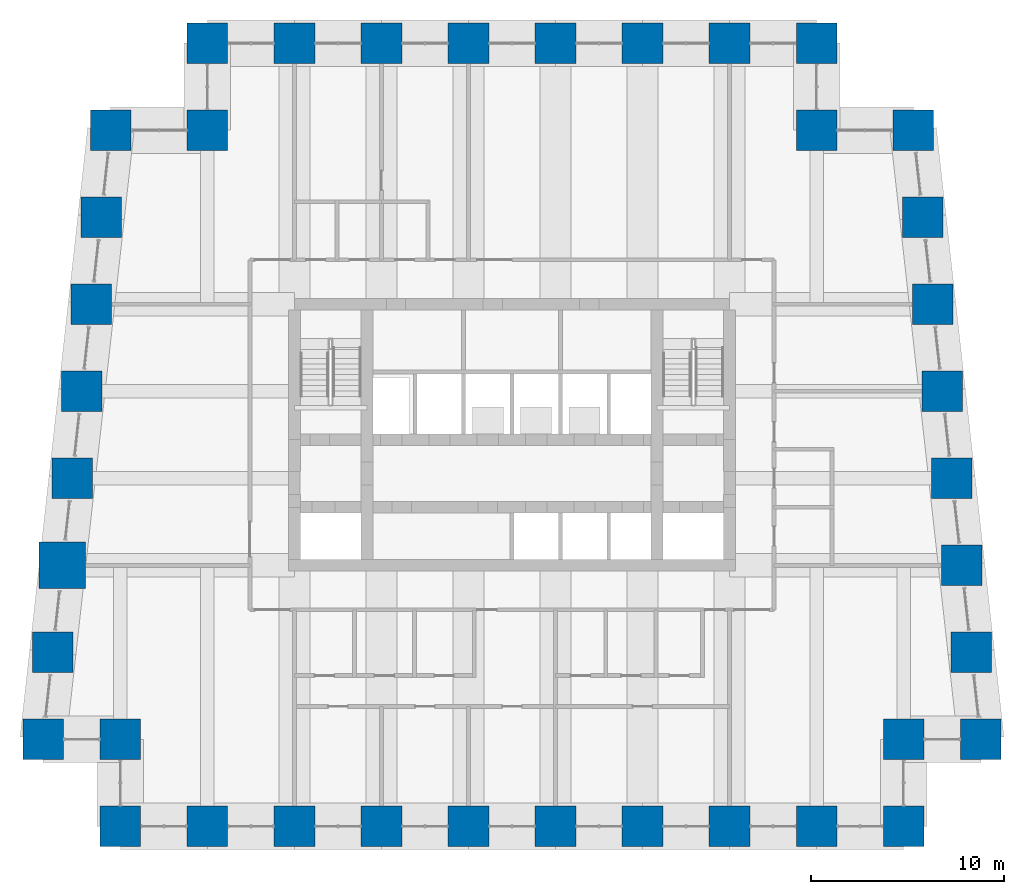
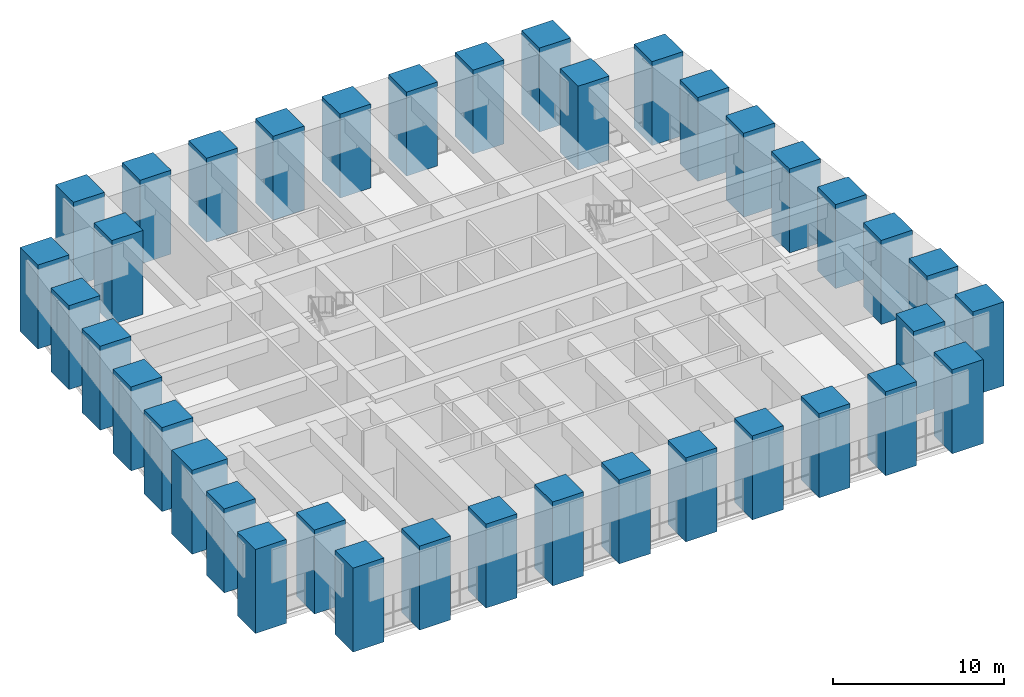
# One storey, part 1 of 17: 38 columns.
"""IFC4 building model written with IfcOpenShell, lengths in metres."""

from ifc_helpers import new_model, si_unit, direction, frame, origin, origin_2d, place, context, subcontext, project, spatial, rectangle, extrude, material, material_profile, profile_set, type_object, element, save


model = new_model("IFC4")

# Units and contexts
model_context = context("Model", 3, precision=1e-05, world=origin(), true_north=direction((0.0, 1.0)))
body_context = subcontext(model_context, "Body", "Model", "MODEL_VIEW")
ifc_project = project(units=[si_unit("LENGTHUNIT", "METRE"), si_unit("AREAUNIT", "SQUARE_METRE"), si_unit("VOLUMEUNIT", "CUBIC_METRE"), si_unit("PLANEANGLEUNIT", "RADIAN"), si_unit("MASSUNIT", "GRAM", prefix="KILO")], contexts=[model_context])

# Site, building, storey
site_placement = place(None, origin())
site = spatial("IfcSite", under=ifc_project, at=site_placement, CompositionType="ELEMENT")
building_placement = place(site_placement, origin())
building = spatial("IfcBuilding", under=site, at=building_placement, Name="Kilele Tower Hotel", CompositionType="ELEMENT")
storey_placement = place(building_placement, frame((0.0, 0.0, 145.89990234375)))
storey = spatial("IfcBuildingStorey", under=building, at=storey_placement, Name="L38", CompositionType="ELEMENT", Elevation=145.89990234375)

# Columns
ifc_material_1 = material(Name="Concrete C70/85", Category="concrete")
ifc_material_profile_1 = material_profile(ifc_material_1, rectangle(XDim=2.10009765625, YDim=2.10009765625, at=origin_2d()))
ifc_profile_set_1 = profile_set([ifc_material_profile_1], Name="Concrete C70/85")
column_type_1 = type_object("IfcColumnType", Name="Tube column RC 2100x2100 C70/85", PredefinedType="COLUMN", material=ifc_profile_set_1)
for number, where, z_axis, x_axis, name in (
    (1, (0.5, 4.5, 0.0), (0.0, 0.0, 1.0), (1.0, 0.0, 0.0), "Column TC8 L38"),
    (2, (4.5, 4.5, 0.0), (0.0, 0.0, 1.0), (1.0, 0.0, 0.0), "Column TC8 L38"),
    (3, (4.5, 0.0, 0.0), (0.0, 0.0, 1.0), (1.0, 0.0, 0.0), "Column TC8 L38"),
    (4, (9.0, 0.0, 0.0), (0.0, 0.0, 1.0), (1.0, 0.0, 0.0), "Column TC8 L38"),
    (5, (13.5, 0.0, 0.0), (0.0, 0.0, 1.0), (1.0, 0.0, 0.0), "Column TC8 L38"),
    (6, (18.0, 0.0, 0.0), (0.0, 0.0, 1.0), (1.0, 0.0, 0.0), "Column TC8 L38"),
    (7, (22.5, 0.0, 0.0), (0.0, 0.0, 1.0), (1.0, 0.0, 0.0), "Column TC8 L38"),
    (8, (27.0, 0.0, 0.0), (0.0, 0.0, 1.0), (1.0, 0.0, 0.0), "Column TC8 L38"),
    (9, (31.5, 0.0, 0.0), (0.0, 0.0, 1.0), (1.0, 0.0, 0.0), "Column TC8 L38"),
    (10, (36.0, 0.0, 0.0), (0.0, 0.0, 1.0), (1.0, 0.0, 0.0), "Column TC8 L38"),
    (11, (40.5, 0.0, 0.0), (0.0, 0.0, 1.0), (1.0, 0.0, 0.0), "Column TC8 L38"),
    (12, (45.0, 0.0, 0.0), (0.0, 0.0, 1.0), (1.0, 0.0, 0.0), "Column TC8 L38"),
    (13, (45.0, 4.5, 0.0), (0.0, 0.0, 1.0), (1.0, 0.0, 0.0), "Column TC8 L38"),
    (14, (49.0, 4.5, 0.0), (0.0, 0.0, 1.0), (1.0, 0.0, 0.0), "Column TC8 L38"),
    (15, (48.5, 9.0, 0.0), (0.0, 0.0, 1.0), (1.0, 0.0, 0.0), "Column TC8 L38"),
    (16, (48.0, 13.5, 0.0), (0.0, 0.0, 1.0), (1.0, 0.0, 0.0), "Column TC8 L38"),
    (17, (47.5, 18.0, 0.0), (0.0, 0.0, 1.0), (1.0, 0.0, 0.0), "Column TC8 L38"),
    (18, (47.0, 22.5, 0.0), (0.0, 0.0, 1.0), (1.0, 0.0, 0.0), "Column TC8 L38"),
    (19, (46.5, 27.0, 0.0), (0.0, 0.0, 1.0), (1.0, 0.0, 0.0), "Column TC8 L38"),
    (20, (46.0, 31.5, 0.0), (0.0, 0.0, 1.0), (1.0, 0.0, 0.0), "Column TC8 L38"),
    (21, (45.5, 36.0, 0.0), (0.0, 0.0, 1.0), (1.0, 0.0, 0.0), "Column TC8 L38"),
    (22, (40.5, 36.0, 0.0), (0.0, 0.0, 1.0), (1.0, 0.0, 0.0), "Column TC8 L38"),
    (23, (40.5, 40.5, 0.0), (0.0, 0.0, 1.0), (1.0, 0.0, 0.0), "Column TC8 L38"),
    (24, (36.0, 40.5, 0.0), (0.0, 0.0, 1.0), (1.0, 0.0, 0.0), "Column TC8 L38"),
    (25, (31.5, 40.5, 0.0), (0.0, 0.0, 1.0), (1.0, 0.0, 0.0), "Column TC8 L38"),
    (26, (27.0, 40.5, 0.0), (0.0, 0.0, 1.0), (1.0, 0.0, 0.0), "Column TC8 L38"),
    (27, (22.5, 40.5, 0.0), (0.0, 0.0, 1.0), (1.0, 0.0, 0.0), "Column TC8 L38"),
    (28, (18.0, 40.5, 0.0), (0.0, 0.0, 1.0), (1.0, 0.0, 0.0), "Column TC8 L38"),
    (29, (13.5, 40.5, 0.0), (0.0, 0.0, 1.0), (1.0, 0.0, 0.0), "Column TC8 L38"),
    (30, (9.0, 40.5, 0.0), (0.0, 0.0, 1.0), (1.0, 0.0, 0.0), "Column TC8 L38"),
    (31, (9.0, 36.0, 0.0), (0.0, 0.0, 1.0), (1.0, 0.0, 0.0), "Column TC8 L38"),
    (32, (4.0, 36.0, 0.0), (0.0, 0.0, 1.0), (1.0, 0.0, 0.0), "Column TC8 L38"),
    (33, (3.5, 31.5, 0.0), (0.0, 0.0, 1.0), (1.0, 0.0, 0.0), "Column TC8 L38"),
    (34, (3.0, 27.0, 0.0), (0.0, 0.0, 1.0), (1.0, 0.0, 0.0), "Column TC8 L38"),
    (35, (2.5, 22.5, 0.0), (0.0, 0.0, 1.0), (1.0, 0.0, 0.0), "Column TC8 L38"),
    (36, (2.0, 18.0, 0.0), (0.0, 0.0, 1.0), (1.0, 0.0, 0.0), "Column TC8 L38"),
    (37, (1.0, 9.0, 0.0), (0.0, 0.0, 1.0), (1.0, 0.0, 0.0), "Column TC8 L38"),
):
    element("IfcColumn", number, at=place(storey_placement, frame(where, z_axis=z_axis, x_axis=x_axis)), inside=storey, type_object=column_type_1, Name=name, PredefinedType="COLUMN", context=body_context, shape_type="SweptSolid", body=[
        extrude(rectangle(XDim=2.10009765625, YDim=2.10009765625, at=origin_2d()), origin(), (0.0, 0.0, 1.0), 6.0),
    ])
ifc_material_2 = material(Name="Concrete C70/85", Category="concrete")
ifc_material_profile_2 = material_profile(ifc_material_2, rectangle(XDim=2.39990234375, YDim=2.39990234375, at=origin_2d()))
ifc_profile_set_2 = profile_set([ifc_material_profile_2], Name="Concrete C70/85")
column_type_2 = type_object("IfcColumnType", Name="Tube column RC 2400x2400 C70/85", PredefinedType="COLUMN", material=ifc_profile_set_2)
column_placement = place(storey_placement, frame((1.5, 13.5, 0.0), z_axis=(0.0, 0.0, 1.0), x_axis=(1.0, 0.0, 0.0)))
element("IfcColumn", 38, at=column_placement, inside=storey, type_object=column_type_2, Name="Column TC16 L38", PredefinedType="COLUMN", context=body_context, shape_type="SweptSolid", body=[
    extrude(rectangle(XDim=2.39990234375, YDim=2.39990234375, at=origin_2d()), origin(), (0.0, 0.0, 1.0), 6.0),
])

save(model, "model.ifc")
